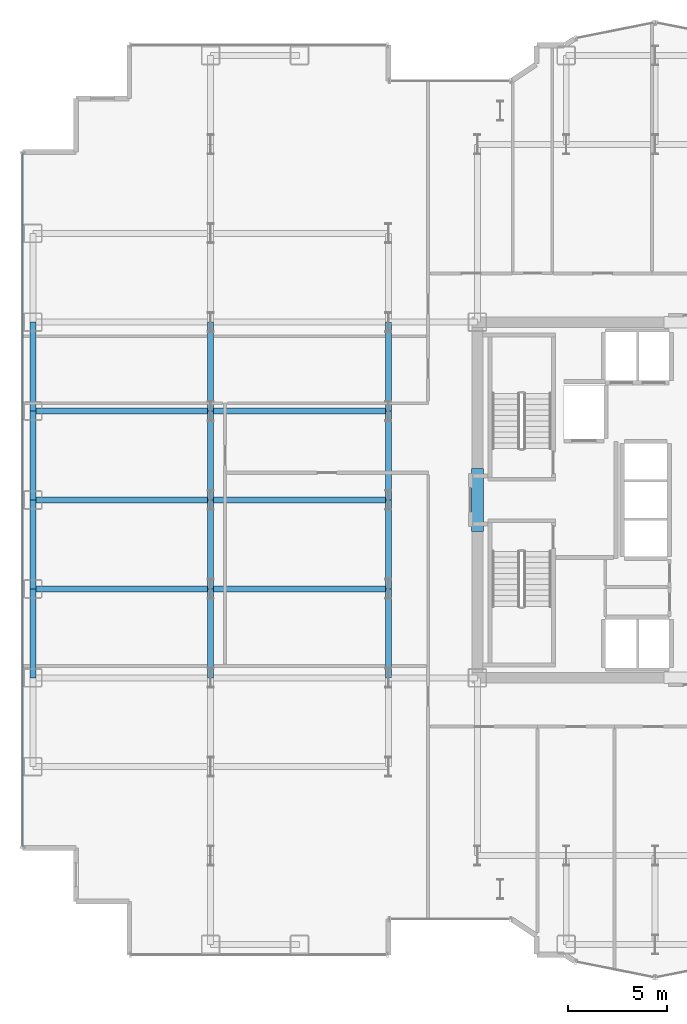
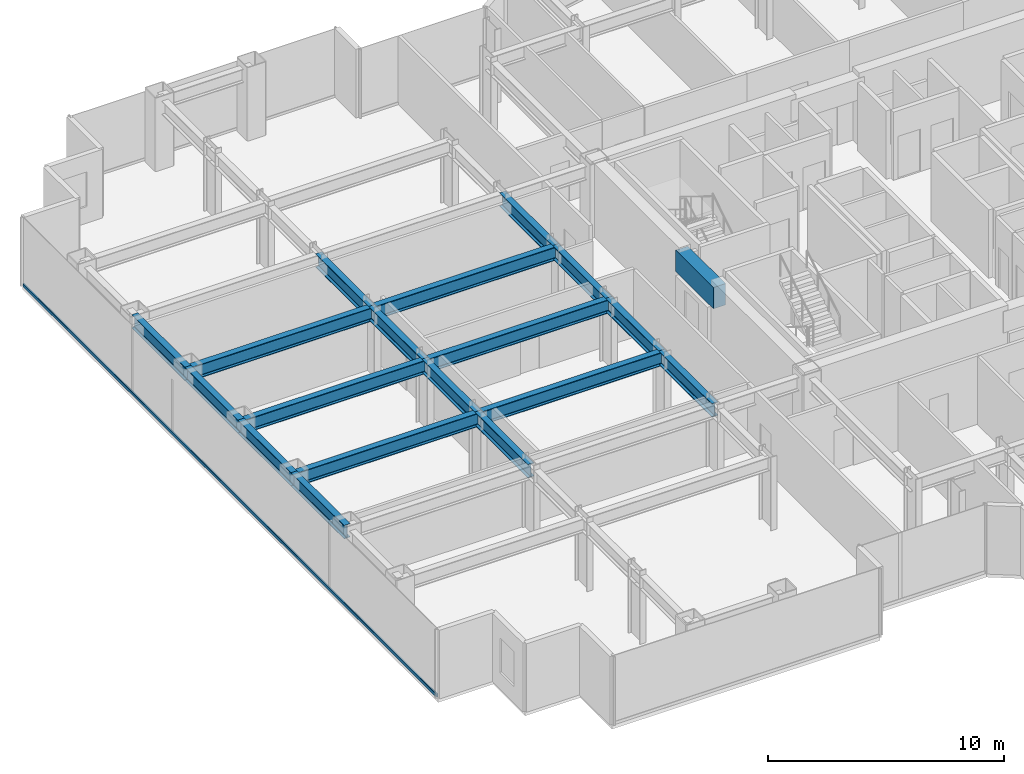
# One storey, part 5 of 26: 19 beams, 1 member, 1 element without a shape of its own.
"""IFC4 building model written with IfcOpenShell, lengths in metres."""

from ifc_helpers import new_model, si_unit, direction, frame, origin, origin_2d, place, context, subcontext, project, spatial, rectangle, hollow_rectangle, i_section, extrude, source, transform, mapped, material, layer, layer_set, material_profile, profile_set, type_object, element, aggregate, save


model = new_model("IFC4")

# Units and contexts
model_context = context("Model", 3, precision=1e-05, world=origin(), true_north=direction((0.0, 1.0)))
body_context = subcontext(model_context, "Body", "Model", "MODEL_VIEW")
ifc_project = project(units=[si_unit("LENGTHUNIT", "METRE"), si_unit("AREAUNIT", "SQUARE_METRE"), si_unit("VOLUMEUNIT", "CUBIC_METRE"), si_unit("PLANEANGLEUNIT", "RADIAN"), si_unit("MASSUNIT", "GRAM", prefix="KILO")], contexts=[model_context])

# Site, building, storey
site_placement = place(None, origin())
site = spatial("IfcSite", under=ifc_project, at=site_placement, CompositionType="ELEMENT")
building_placement = place(site_placement, origin())
building = spatial("IfcBuilding", under=site, at=building_placement, Name="Nefas-Gora Pilgrimage Tower", CompositionType="ELEMENT")
storey_placement = place(building_placement, frame((0.0, 0.0, 94.60009765625)))
storey = spatial("IfcBuildingStorey", under=building, at=storey_placement, Name="L22", CompositionType="ELEMENT", Elevation=94.60009765625)

# Beams
ifc_material_1 = material(Name="Concrete C60/75", Category="concrete")
ifc_material_profile_1 = material_profile(ifc_material_1, rectangle(XDim=0.60009765625, YDim=1.10009765625, at=origin_2d()), Name="RC 600x1100")
ifc_profile_set_1 = profile_set([ifc_material_profile_1], Name="Concrete C60/75")
beam_type_1 = type_object("IfcBeamType", Name="BM-LIN-RC1100", PredefinedType="LINTEL", material=ifc_profile_set_1)
shared_shape_1 = source(origin(), body_context, "Body", "SweptSolid", [
    extrude(rectangle(XDim=0.60009765625, YDim=1.10009765625, at=origin_2d()), origin(), (0.0, 0.0, 1.0), 3.2001953125),
])
beam_placement = place(storey_placement, frame((-11.25, -1.60009765625, 3.0), z_axis=(0.0, 1.0, 0.0), x_axis=(-1.0, 0.0, 0.0)))
element("IfcBeam", 1, at=beam_placement, inside=storey, type_object=beam_type_1, Name="L22 Core Coupling Lintel Beam W", PredefinedType="LINTEL", context=body_context, shape_type="MappedRepresentation", body=[
    mapped(shared_shape_1, transform((0.0, 0.0, 0.0), x_axis=(1.0, 0.0, 0.0), y_axis=(0.0, 1.0, 0.0), z_axis=(0.0, 0.0, 1.0), scale=1.0)),
])
ifc_material_2 = material(Name="Steel S355", Category="steel")
ifc_material_profile_2 = material_profile(ifc_material_2, i_section(OverallWidth=0.300048828125, OverallDepth=0.699951171875, WebThickness=0.01708984375, FlangeThickness=0.031982421875, FilletRadius=0.027099609375, at=origin_2d()), Name="HEB 700")
ifc_profile_set_2 = profile_set([ifc_material_profile_2], Name="Steel S355")
beam_type_2 = type_object("IfcBeamType", Name="BM-SPN-HEB600", PredefinedType="SPANDREL", material=ifc_profile_set_2)
shared_shape_2 = source(origin(), body_context, "Body", "SweptSolid", [
    extrude(i_section(OverallWidth=0.300048828125, OverallDepth=0.699951171875, WebThickness=0.01708984375, FlangeThickness=0.031982421875, FilletRadius=0.027099609375, at=origin_2d()), origin(), (0.0, 0.0, 1.0), 4.5),
])
for number, where, z_axis, x_axis, name in (
    (2, (-33.75, -9.0, 3.199951171875), (0.0, 1.0, 0.0), (-1.0, 0.0, 0.0), "L22 SP-01 beam"),
    (3, (-33.75, -4.5, 3.199951171875), (0.0, 1.0, 0.0), (-1.0, 0.0, 0.0), "L22 SP-01 beam"),
    (4, (-33.75, 0.0, 3.199951171875), (0.0, 1.0, 0.0), (-1.0, 0.0, 0.0), "L22 SP-01 beam"),
    (5, (-33.75, 4.5, 3.199951171875), (0.0, 1.0, 0.0), (-1.0, 0.0, 0.0), "L22 SP-01 beam"),
):
    element("IfcBeam", number, at=place(storey_placement, frame(where, z_axis=z_axis, x_axis=x_axis)), inside=storey, type_object=beam_type_2, Name=name, PredefinedType="SPANDREL", context=body_context, shape_type="MappedRepresentation", body=[
        mapped(shared_shape_2, transform((0.0, 0.0, 0.0), x_axis=(1.0, 0.0, 0.0), y_axis=(0.0, 1.0, 0.0), z_axis=(0.0, 0.0, 1.0), scale=1.0)),
    ])
ifc_material_profile_3 = material_profile(ifc_material_2, i_section(OverallWidth=0.300048828125, OverallDepth=0.699951171875, WebThickness=0.01708984375, FlangeThickness=0.031982421875, FilletRadius=0.027099609375, at=origin_2d()), Name="HEB 700")
ifc_profile_set_3 = profile_set([ifc_material_profile_3], Name="Steel S355")
beam_type_3 = type_object("IfcBeamType", Name="BM-GIR-HEB700", PredefinedType="BEAM", material=ifc_profile_set_3)
shared_shape_3 = source(origin(), body_context, "Body", "SweptSolid", [
    extrude(i_section(OverallWidth=0.300048828125, OverallDepth=0.699951171875, WebThickness=0.01708984375, FlangeThickness=0.031982421875, FilletRadius=0.027099609375, at=origin_2d()), origin(), (0.0, 0.0, 1.0), 9.0),
])
for number, where, z_axis, x_axis, name in (
    (6, (-33.75, -4.5, 3.199951171875), (1.0, 0.0, 0.0), (0.0, 1.0, 0.0), "L22 G-02 beam"),
    (7, (-33.75, 0.0, 3.199951171875), (1.0, 0.0, 0.0), (0.0, 1.0, 0.0), "L22 G-02 beam"),
    (8, (-33.75, 4.5, 3.199951171875), (1.0, 0.0, 0.0), (0.0, 1.0, 0.0), "L22 G-02 beam"),
    (9, (-24.75, -4.5, 3.199951171875), (1.0, 0.0, 0.0), (0.0, 1.0, 0.0), "L22 G-02 beam"),
    (10, (-24.75, 0.0, 3.199951171875), (1.0, 0.0, 0.0), (0.0, 1.0, 0.0), "L22 G-02 beam"),
    (11, (-24.75, 4.5, 3.199951171875), (1.0, 0.0, 0.0), (0.0, 1.0, 0.0), "L22 G-02 beam"),
):
    element("IfcBeam", number, at=place(storey_placement, frame(where, z_axis=z_axis, x_axis=x_axis)), inside=storey, type_object=beam_type_3, Name=name, PredefinedType="BEAM", context=body_context, shape_type="MappedRepresentation", body=[
        mapped(shared_shape_3, transform((0.0, 0.0, 0.0), x_axis=(1.0, 0.0, 0.0), y_axis=(0.0, 1.0, 0.0), z_axis=(0.0, 0.0, 1.0), scale=1.0)),
    ])
shared_shape_4 = source(origin(), body_context, "Body", "SweptSolid", [
    extrude(i_section(OverallWidth=0.300048828125, OverallDepth=0.699951171875, WebThickness=0.01708984375, FlangeThickness=0.031982421875, FilletRadius=0.027099609375, at=origin_2d()), origin(), (0.0, 0.0, 1.0), 4.5),
])
for number, where, z_axis, x_axis, name in (
    (12, (-24.75, -9.0, 3.199951171875), (0.0, 1.0, 0.0), (-1.0, 0.0, 0.0), "L22 G-02 beam"),
    (13, (-24.75, -4.5, 3.199951171875), (0.0, 1.0, 0.0), (-1.0, 0.0, 0.0), "L22 G-02 beam"),
    (14, (-24.75, 0.0, 3.199951171875), (0.0, 1.0, 0.0), (-1.0, 0.0, 0.0), "L22 G-02 beam"),
    (15, (-24.75, 4.5, 3.199951171875), (0.0, 1.0, 0.0), (-1.0, 0.0, 0.0), "L22 G-02 beam"),
    (16, (-15.75, -9.0, 3.199951171875), (0.0, 1.0, 0.0), (-1.0, 0.0, 0.0), "L22 G-02 beam"),
    (17, (-15.75, -4.5, 3.199951171875), (0.0, 1.0, 0.0), (-1.0, 0.0, 0.0), "L22 G-02 beam"),
    (18, (-15.75, 0.0, 3.199951171875), (0.0, 1.0, 0.0), (-1.0, 0.0, 0.0), "L22 G-02 beam"),
    (19, (-15.75, 4.5, 3.199951171875), (0.0, 1.0, 0.0), (-1.0, 0.0, 0.0), "L22 G-02 beam"),
):
    element("IfcBeam", number, at=place(storey_placement, frame(where, z_axis=z_axis, x_axis=x_axis)), inside=storey, type_object=beam_type_3, Name=name, PredefinedType="BEAM", context=body_context, shape_type="MappedRepresentation", body=[
        mapped(shared_shape_4, transform((0.0, 0.0, 0.0), x_axis=(1.0, 0.0, 0.0), y_axis=(0.0, 1.0, 0.0), z_axis=(0.0, 0.0, 1.0), scale=1.0)),
    ])

# Curtain wall, member
ifc_material_3 = material(Name="Dark ceramic-fritted solar-control aluminium-glass curtain wall", Category="aluminium")
ifc_layer = layer(ifc_material_3, 0.219970703125)
ifc_layer_set = layer_set([ifc_layer], Name="Dark ceramic-fritted solar-control aluminium-glass curtain wall")
curtain_wall_type = type_object("IfcCurtainWallType", Name="CW-SYS-2", PredefinedType="NOTDEFINED", material=ifc_layer_set)
curtain_wall_placement = place(storey_placement, origin())
curtain_wall = element("IfcCurtainWall", 20, at=curtain_wall_placement, inside=storey, type_object=curtain_wall_type, Name="L22 Unitised Curtain Wall CW2", PredefinedType="NOTDEFINED")
ifc_material_4 = material(Name="Anodised architectural aluminium", Category="aluminium")
ifc_material_profile_4 = material_profile(ifc_material_4, hollow_rectangle(XDim=0.080078125, YDim=0.159912109375, WallThickness=0.00439453125, InnerFilletRadius=0.00439453125, OuterFilletRadius=0.009033203125, at=origin_2d()), Name="ALU TRANSOM 80x160")
ifc_profile_set_4 = profile_set([ifc_material_profile_4], Name="Anodised architectural aluminium")
member_type = type_object("IfcMemberType", Name="CWM-TRN-2", PredefinedType="USERDEFINED", material=ifc_profile_set_4)
shared_shape_5 = source(origin(), body_context, "Body", "SweptSolid", [
    extrude(hollow_rectangle(XDim=0.080078125, YDim=0.159912109375, WallThickness=0.00439453125, InnerFilletRadius=0.00439453125, OuterFilletRadius=0.009033203125, at=origin_2d()), origin(), (0.0, 0.0, 1.0), 35.06005859375),
])
member_placement = place(storey_placement, frame((-34.27001953125, 17.530029296875, 0.0498046875), z_axis=(0.0, -1.0, 0.0), x_axis=(1.0, 0.0, 0.0)))
member = element("IfcMember", 21, at=member_placement, type_object=member_type, Name="CW2 Spandrel Transom", ObjectType="TRANSOM", PredefinedType="USERDEFINED", context=body_context, shape_type="MappedRepresentation", body=[
    mapped(shared_shape_5, transform((0.0, 0.0, 0.0), x_axis=(1.0, 0.0, 0.0), y_axis=(0.0, 1.0, 0.0), z_axis=(0.0, 0.0, 1.0), scale=1.0)),
])
aggregate(curtain_wall, [member])

save(model, "model.ifc")
